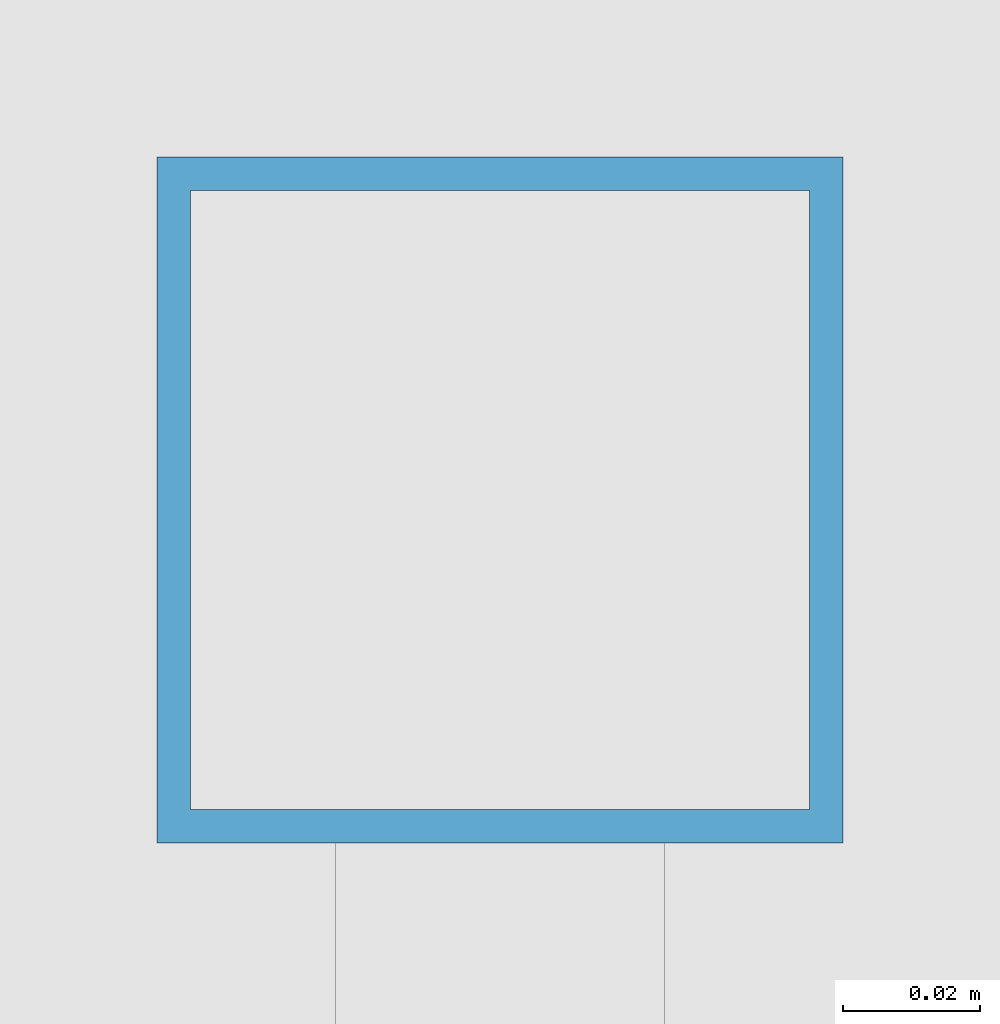
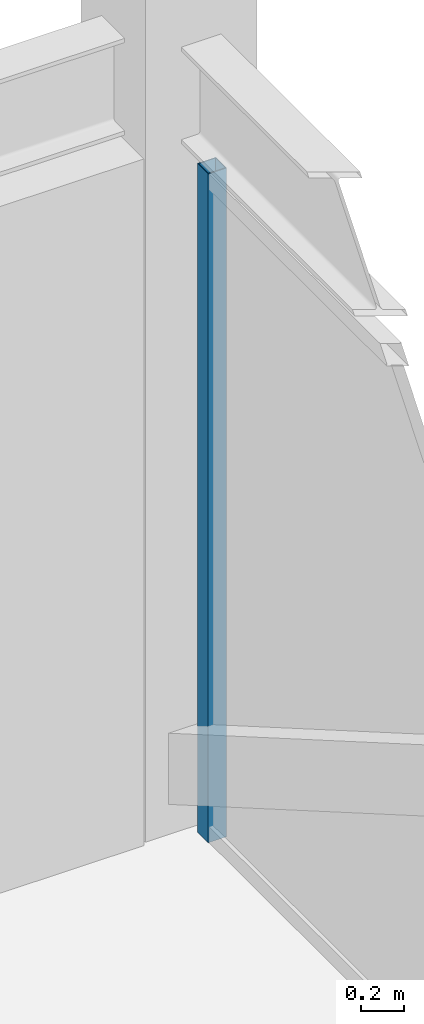
# One storey, part 20 of 27: 1 member, 1 element without a shape of its own.
"""IFC4 building model written with IfcOpenShell, lengths in metres."""

from ifc_helpers import new_model, si_unit, direction, frame, origin, origin_2d, place, context, subcontext, project, spatial, hollow_rectangle, extrude, source, transform, mapped, material, material_profile, profile_set, type_object, element, aggregate, save


model = new_model("IFC4")

# Units and contexts
model_context = context("Model", 3, precision=1e-05, world=origin(), true_north=direction((0.0, 1.0)))
body_context = subcontext(model_context, "Body", "Model", "MODEL_VIEW")
ifc_project = project(units=[si_unit("LENGTHUNIT", "METRE"), si_unit("AREAUNIT", "SQUARE_METRE"), si_unit("VOLUMEUNIT", "CUBIC_METRE"), si_unit("PLANEANGLEUNIT", "RADIAN"), si_unit("MASSUNIT", "GRAM", prefix="KILO")], contexts=[model_context])

# Site, building, storey
site_placement = place(None, origin())
site = spatial("IfcSite", under=ifc_project, at=site_placement, CompositionType="ELEMENT")
building_placement = place(site_placement, origin())
building = spatial("IfcBuilding", under=site, at=building_placement, Name="Khorayat Bourse Tower", CompositionType="ELEMENT")
storey_placement = place(building_placement, frame((0.0, 0.0, 385.10009765625)))
storey = spatial("IfcBuildingStorey", under=building, at=storey_placement, Name="L91", CompositionType="ELEMENT", Elevation=385.10009765625)

# Curtain wall, member
ifc_material = material(Name="Aluminium EN AW-6063 T6", Category="aluminium")
curtain_wall_type = type_object("IfcCurtainWallType", Name="CW-SYS-07", PredefinedType="NOTDEFINED", material=ifc_material)
curtain_wall_placement = place(storey_placement, origin())
curtain_wall = element("IfcCurtainWall", 1, at=curtain_wall_placement, inside=storey, type_object=curtain_wall_type, Name="L91 Curtain Wall CW-L91-E1", PredefinedType="NOTDEFINED")
ifc_material_profile = material_profile(ifc_material, hollow_rectangle(XDim=0.10009765625, YDim=0.10009765625, WallThickness=0.0048828125, at=origin_2d()), Name="ALU 100x100x5")
ifc_profile_set = profile_set([ifc_material_profile], Name="Aluminium EN AW-6063 T6")
member_type = type_object("IfcMemberType", Name="CWM-LANTERN-100", PredefinedType="MULLION", material=ifc_profile_set)
shared_shape = source(origin(), body_context, "Body", "SweptSolid", [
    extrude(hollow_rectangle(XDim=0.10009765625, YDim=0.10009765625, WallThickness=0.0048828125, at=origin_2d()), origin(), (0.0, 0.0, 1.0), 3.7998046875),
])
member_placement = place(storey_placement, frame((24.0, 17.60009765625, 0.0), z_axis=(0.0, 0.0, 1.0), x_axis=(-1.0, 0.0, 0.0)))
member = element("IfcMember", 2, at=member_placement, type_object=member_type, Name="CW-L91-E1 Vertical Mullion 3", PredefinedType="MULLION", context=body_context, shape_type="MappedRepresentation", body=[
    mapped(shared_shape, transform((0.0, 0.0, 0.0), scale=1.0)),
])
aggregate(curtain_wall, [member])

save(model, "model.ifc")
